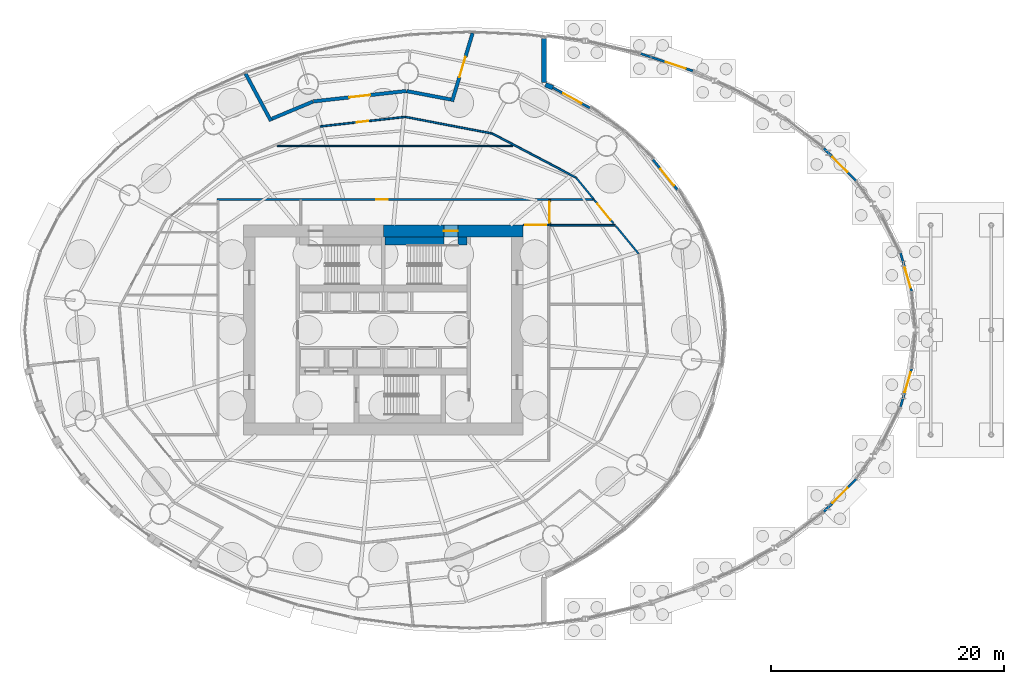
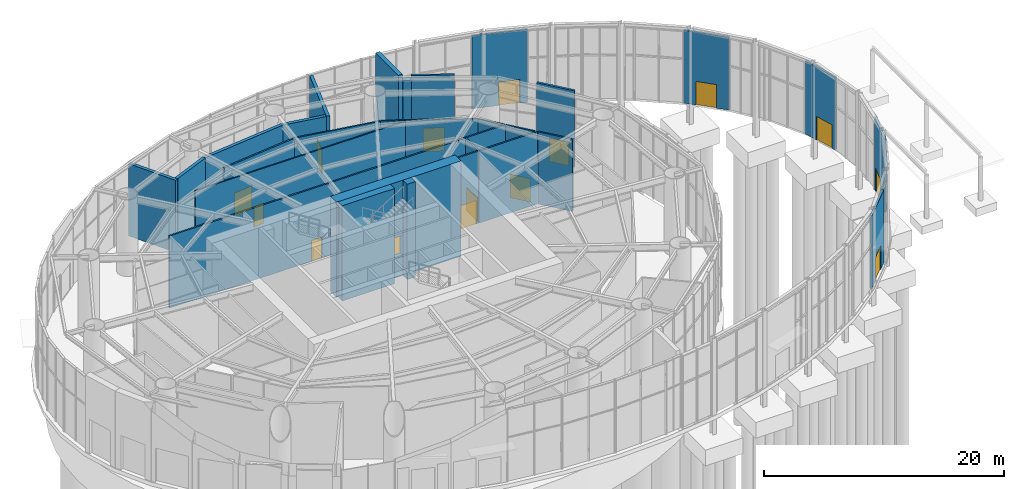
# One storey, part 24 of 27: 28 walls, 15 doors, 15 openings.
"""IFC4 building model written with IfcOpenShell, lengths in metres."""

import ifcopenshell
import ifcopenshell.guid

model = None  # the IFC model being written
_history = None  # IfcOwnerHistory: only IFC2X3 demands one
_inside = {}  # id of a spatial element -> (the spatial element, [elements in it])
_under = {}  # id of a project, library or spatial element -> (it, [spatial elements below it])
_declared = {}  # id of a project -> (the project, [libraries it declares])
_typed = {}  # id of a type object -> (the type object, [elements of that type])
_made_of = {}  # id of a material, layer set ... -> (it, [elements and type objects made of it])


def new_model(schema):
    """Start an empty IFC model of exactly this schema.

    Asked for "IFC4X3", IfcOpenShell would pick the latest addendum, in which some entities
    have other attributes; the version numbers below select the first issue.
    IFC2X3 requires an IfcOwnerHistory on every rooted entity: one is made here for all.
    """
    global model, _history
    if schema == "IFC4X3":
        model = ifcopenshell.file(schema_version=(4, 3, 0, 0))
    else:
        model = ifcopenshell.file(schema=schema)
    _inside.clear()
    _under.clear()
    _declared.clear()
    _typed.clear()
    _made_of.clear()
    _history = None
    if model.schema == "IFC2X3":
        org = make("IfcOrganization", Name="unknown")
        user = make(
            "IfcPersonAndOrganization",
            ThePerson=make("IfcPerson", FamilyName="unknown"),
            TheOrganization=org,
        )
        app = make(
            "IfcApplication",
            ApplicationDeveloper=org,
            Version="unknown",
            ApplicationFullName="unknown",
            ApplicationIdentifier="unknown",
        )
        _history = make(
            "IfcOwnerHistory",
            OwningUser=user,
            OwningApplication=app,
            ChangeAction="ADDED",
            CreationDate=0,
        )
    return model


def make(cls, **values):
    """One entity of the class cls with the attributes given. An attribute that is None is left unset."""
    return model.create_entity(
        cls, **{name: value for name, value in values.items() if value is not None}
    )


def rooted(cls, **values):
    """An entity with a GlobalId (a new one), such as an element, a storey or a relation."""
    return make(cls, GlobalId=ifcopenshell.guid.new(), OwnerHistory=_history, **values)


def si_unit(unit_type, name, prefix=None):
    """IfcSIUnit, for example si_unit("LENGTHUNIT", "METRE", prefix="MILLI")."""
    return make("IfcSIUnit", UnitType=unit_type, Prefix=prefix, Name=name)


def assignment(units):
    """IfcUnitAssignment: the units of a project."""
    return None if units is None else make("IfcUnitAssignment", Units=units)


def point(xyz):
    """IfcCartesianPoint."""
    return None if xyz is None else make("IfcCartesianPoint", Coordinates=xyz)


def direction(xyz):
    """IfcDirection."""
    return None if xyz is None else make("IfcDirection", DirectionRatios=xyz)


def frame(location, z_axis=None, x_axis=None):
    """IfcAxis2Placement3D, a coordinate frame: its origin and axes. An axis left out is left unset."""
    return make(
        "IfcAxis2Placement3D",
        Location=point(location),
        Axis=direction(z_axis),
        RefDirection=direction(x_axis),
    )


def frame_2d(location, x_axis=None):
    """IfcAxis2Placement2D, a coordinate frame in the plane: its origin and x axis."""
    return make(
        "IfcAxis2Placement2D", Location=point(location), RefDirection=direction(x_axis)
    )


def origin():
    """The frame at (0, 0, 0) with its axes left unset."""
    return frame((0.0, 0.0, 0.0))


def place(relative_to, where):
    """IfcLocalPlacement: puts the frame where relative to a parent placement (None: the world)."""
    return make(
        "IfcLocalPlacement", PlacementRelTo=relative_to, RelativePlacement=where
    )


def context(
    kind, dimensions, precision=None, world=None, true_north=None, identifier=None
):
    """IfcGeometricRepresentationContext, for example the 3D "Model" context."""
    return make(
        "IfcGeometricRepresentationContext",
        ContextIdentifier=identifier,
        ContextType=kind,
        CoordinateSpaceDimension=dimensions,
        Precision=precision,
        WorldCoordinateSystem=world,
        TrueNorth=true_north,
    )


def subcontext(parent, identifier, kind, view, scale=None):
    """IfcGeometricRepresentationSubContext, for example "Body" below "Model"."""
    return make(
        "IfcGeometricRepresentationSubContext",
        ContextIdentifier=identifier,
        ContextType=kind,
        ParentContext=parent,
        TargetScale=scale,
        TargetView=view,
    )


def project(units=None, contexts=None):
    """IfcProject with its units and contexts."""
    return rooted(
        "IfcProject",
        Name="project",
        RepresentationContexts=contexts,
        UnitsInContext=assignment(units),
    )


def spatial(cls, under=None, at=None, **own):
    """A site, building, storey or space (cls), placed at a placement, below another one or the project."""
    s = rooted(cls, ObjectPlacement=at, **own)
    if under is not None:
        _under.setdefault(under.id(), (under, []))[1].append(s)
    return s


def profile(cls, at=None, kind="AREA", **sizes):
    """A parametric profile (cls). Its sizes go by their IFC names, for example OverallWidth=200.0."""
    return make(cls, ProfileType=kind, Position=at, **sizes)


def rectangle(**sizes):
    """IfcRectangleProfileDef."""
    return profile("IfcRectangleProfileDef", **sizes)


def extrude(swept, where, along, depth):
    """IfcExtrudedAreaSolid: the profile swept, set in the frame where, extruded along a direction by depth."""
    return make(
        "IfcExtrudedAreaSolid",
        SweptArea=swept,
        Position=where,
        ExtrudedDirection=direction(along),
        Depth=depth,
    )


def shape(context_of_items, identifier, shape_type, items):
    """IfcShapeRepresentation: the items that make up one representation, for example the "Body"."""
    return make(
        "IfcShapeRepresentation",
        ContextOfItems=context_of_items,
        RepresentationIdentifier=identifier,
        RepresentationType=shape_type,
        Items=items,
    )


def material(Name=None, Category=None):
    """IfcMaterial."""
    return make("IfcMaterial", Name=Name, Category=Category)


def layer(
    of_material, thickness, ventilated=None, Name=None, Category=None, Priority=None
):
    """IfcMaterialLayer: one layer of a wall or slab, of a material (None: an air gap)."""
    return make(
        "IfcMaterialLayer",
        Material=of_material,
        LayerThickness=thickness,
        IsVentilated=ventilated,
        Name=Name,
        Category=Category,
        Priority=Priority,
    )


def layer_set(layers, Name=None):
    """IfcMaterialLayerSet."""
    return make("IfcMaterialLayerSet", MaterialLayers=layers, LayerSetName=Name)


def made_of(thing, what):
    """Note that an element or type object is made of a material, layer set ...; save() writes the relation."""
    if what is not None:
        _made_of.setdefault(what.id(), (what, []))[1].append(thing)
    return thing


def type_object(cls, material=None, **own):
    """A type object (cls), such as IfcWallType, which elements share."""
    return made_of(rooted(cls, **own), material)


def element(
    cls,
    number,
    at=None,
    inside=None,
    cuts=None,
    type_object=None,
    material=None,
    context=None,
    identifier="Body",
    shape_type=None,
    held_by="IfcProductDefinitionShape",
    body=None,
    shapes=None,
    **own,
):
    """One element of the class cls, such as IfcWall. Its Tag is "e" and its number.

    at: its placement. inside: the storey or other place that contains it. cuts: it is an
    opening in that element (IfcRelVoidsElement). A single representation is given by context,
    identifier, shape_type and body (its items); several are given by shapes. held_by: the class
    of the entity that holds the representations. save() writes the other relations.
    """
    e = rooted(cls, Tag="e%d" % number, ObjectPlacement=at, **own)
    if body is not None:
        shapes = [shape(context, identifier, shape_type, body)]
    if shapes is not None:
        e.Representation = make(held_by, Representations=shapes)
    if inside is not None:
        _inside.setdefault(inside.id(), (inside, []))[1].append(e)
    if cuts is not None:
        rooted(
            "IfcRelVoidsElement", RelatingBuildingElement=cuts, RelatedOpeningElement=e
        )
    if type_object is not None:
        _typed.setdefault(type_object.id(), (type_object, []))[1].append(e)
    return made_of(e, material)


def fill(opening, filler):
    """IfcRelFillsElement: the door or window that sits in an opening."""
    return rooted(
        "IfcRelFillsElement",
        RelatingOpeningElement=opening,
        RelatedBuildingElement=filler,
    )


def aggregate(whole, parts):
    """IfcRelAggregates: a whole, such as a stair, and the parts it consists of."""
    return rooted("IfcRelAggregates", RelatingObject=whole, RelatedObjects=parts)


def save(model, path):
    """Write the relations noted so far, then the file.

    IfcRelAggregates (storeys below a building ...), IfcRelContainedInSpatialStructure (elements
    in a storey), IfcRelDefinesByType, IfcRelAssociatesMaterial and IfcRelDeclares: one each for
    every whole, place, type object, material and project.
    """
    for whole, parts in _under.values():
        aggregate(whole, parts)
    for where, things in _inside.values():
        rooted(
            "IfcRelContainedInSpatialStructure",
            RelatedElements=things,
            RelatingStructure=where,
        )
    for kind, things in _typed.values():
        rooted("IfcRelDefinesByType", RelatedObjects=things, RelatingType=kind)
    for what, things in _made_of.values():
        rooted("IfcRelAssociatesMaterial", RelatedObjects=things, RelatingMaterial=what)
    for by, libraries in _declared.values():
        rooted("IfcRelDeclares", RelatingContext=by, RelatedDefinitions=libraries)
    model.write(path)


model = new_model("IFC4")

# Units and contexts
model_context = context("Model", 3, precision=1e-05, world=origin(), true_north=direction((0.0, 1.0)))
body_context = subcontext(model_context, "Body", "Model", "MODEL_VIEW")
ifc_project = project(units=[si_unit("LENGTHUNIT", "METRE"), si_unit("AREAUNIT", "SQUARE_METRE"), si_unit("VOLUMEUNIT", "CUBIC_METRE"), si_unit("PLANEANGLEUNIT", "RADIAN"), si_unit("MASSUNIT", "GRAM", prefix="KILO")], contexts=[model_context])

# Site, building, storey
site_placement = place(None, origin())
site = spatial("IfcSite", under=ifc_project, at=site_placement, CompositionType="ELEMENT")
building_placement = place(site_placement, origin())
building = spatial("IfcBuilding", under=site, at=building_placement, Name="Vermilion Reach Broadcast Tower", CompositionType="ELEMENT")
storey_placement = place(building_placement, origin())
storey = spatial("IfcBuildingStorey", under=building, at=storey_placement, Name="L00", CompositionType="ELEMENT", Elevation=0.0)

# Walls
ifc_material_1 = material(Name="Precast concrete C40/50 with acoustic cladding", Category="concrete")
ifc_layer_1 = layer(ifc_material_1, 0.39990234375)
ifc_layer_set_1 = layer_set([ifc_layer_1], Name="Atrium end wall 400")
wall_type_1 = type_object("IfcWallType", Name="Atrium end wall 400", PredefinedType="SOLIDWALL", material=ifc_layer_set_1)
wall_1_placement = place(storey_placement, frame((7.800048828125, 25.045166015625, 0.0), z_axis=(0.0, 0.0, 1.0), x_axis=(0.0, -1.0, 0.0)))
element("IfcWall", 1, at=wall_1_placement, inside=storey, type_object=wall_type_1, Name="Atrium end wall L00 1", PredefinedType="SOLIDWALL", context=body_context, shape_type="SweptSolid", body=[
    extrude(rectangle(XDim=3.79931640625, YDim=0.39990234375, at=frame_2d((1.899658203125, 0.0))), origin(), (0.0, 0.0, 1.0), 7.800048828125),
])
ifc_material_2 = material(Name="Precast concrete C40/50 with acoustic cladding", Category="concrete")
ifc_layer_2 = layer(ifc_material_2, 0.39990234375)
ifc_layer_set_2 = layer_set([ifc_layer_2], Name="Atrium end wall 400, head 400 below soffit")
wall_type_2 = type_object("IfcWallType", Name="Atrium end wall 400, head 400 below soffit", PredefinedType="SOLIDWALL", material=ifc_layer_set_2)
wall_2_placement = place(storey_placement, frame((7.925048828125, 21.060546875, 0.0), z_axis=(0.0, 0.0, 1.0), x_axis=(0.927141159757, -0.374712249444, 0.0)))
element("IfcWall", 2, at=wall_2_placement, inside=storey, type_object=wall_type_2, Name="Podium wall L00 dru00", PredefinedType="SOLIDWALL", context=body_context, shape_type="SweptSolid", body=[
    extrude(rectangle(XDim=0.696533203125, YDim=0.39990234375, at=frame_2d((0.34814453125, 0.0))), origin(), (0.0, 0.0, 1.0), 7.39990234375),
])

# Wall, opening, door
ifc_material_3 = material(Name="Concrete C70", Category="concrete")
ifc_layer_3 = layer(ifc_material_3, 1.0)
ifc_layer_set_3 = layer_set([ifc_layer_3], Name="Core outer wall 1000 mm Concrete C70")
wall_type_3 = type_object("IfcWallType", Name="Core outer wall 1000 mm Concrete C70", PredefinedType="SHEAR", material=ifc_layer_set_3)
wall_3_placement = place(storey_placement, frame((6.0, 8.5, -2.0), z_axis=(0.0, 0.0, 1.0), x_axis=(-1.0, 0.0, 0.0)))
wall_3 = element("IfcWall", 3, at=wall_3_placement, inside=storey, type_object=wall_type_3, Name="L00 core wall onE", PredefinedType="SHEAR", context=body_context, shape_type="SweptSolid", body=[
    extrude(rectangle(XDim=12.0, YDim=1.0, at=frame_2d((6.0, 0.0))), origin(), (0.0, 0.0, 1.0), 9.699951171875),
])
opening_1_placement = place(wall_3_placement, frame((5.60009765625, 0.0, 2.0)))
opening_1 = element("IfcOpeningElement", 4, at=opening_1_placement, cuts=wall_3, Name="Opening D01", PredefinedType="OPENING", context=body_context, shape_type="SweptSolid", body=[
    extrude(rectangle(XDim=1.199951171875, YDim=2.10009765625, at=frame_2d((0.60009765625, 1.050048828125))), frame((0.0, 0.510009765625, 0.0), z_axis=(0.0, -1.0, 0.0), x_axis=(1.0, 0.0, 0.0)), (0.0, 0.0, 1.0), 1.02001953125),
])
ifc_material_4 = material(Name="Painted steel fire door", Category="steel")
door_type_1 = type_object("IfcDoorType", Name="Stair door 1200 x 2100", OperationType="DOUBLE_DOOR_SINGLE_SWING", PredefinedType="NOTDEFINED", material=ifc_material_4)
door_1_placement = place(opening_1_placement, origin())
door_1 = element("IfcDoor", 5, at=door_1_placement, inside=storey, type_object=door_type_1, Name="L00 stair door ST2", OperationType="DOUBLE_DOOR_SINGLE_SWING", OverallHeight=2.10009765625, OverallWidth=1.199951171875, PredefinedType="NOTDEFINED", context=body_context, shape_type="SweptSolid", body=[
    extrude(rectangle(XDim=1.199951171875, YDim=2.10009765625, at=frame_2d((0.60009765625, 1.050048828125))), frame((0.0, 0.02490234375, 0.0), z_axis=(0.0, -1.0, 0.0), x_axis=(1.0, 0.0, 0.0)), (0.0, 0.0, 1.0), 0.050048828125),
])
fill(opening_1, door_1)

# Walls
ifc_material_5 = material(Name="Concrete C70", Category="concrete")
ifc_layer_4 = layer(ifc_material_5, 0.699951171875)
ifc_layer_set_4 = layer_set([ifc_layer_4], Name="Core stair wall 700 mm Concrete C70")
wall_type_4 = type_object("IfcWallType", Name="Core stair wall 700 mm Concrete C70", PredefinedType="SHEAR", material=ifc_layer_set_4)
wall_4_placement = place(storey_placement, frame((-5.85009765625, 7.64990234375, -2.0), z_axis=(0.0, 0.0, 1.0), x_axis=(1.0, 0.0, 0.0)))
element("IfcWall", 6, at=wall_4_placement, inside=storey, type_object=wall_type_4, Name="L00 core wall l2a", PredefinedType="SHEAR", context=body_context, shape_type="SweptSolid", body=[
    extrude(rectangle(XDim=5.050048828125, YDim=0.699951171875, at=frame_2d((2.52490234375, 0.0))), origin(), (0.0, 0.0, 1.0), 9.699951171875),
])
wall_5_placement = place(storey_placement, frame((0.39990234375, 7.64990234375, -2.0), z_axis=(0.0, 0.0, 1.0), x_axis=(1.0, 0.0, 0.0)))
element("IfcWall", 7, at=wall_5_placement, inside=storey, type_object=wall_type_4, Name="L00 core wall l2b", PredefinedType="SHEAR", context=body_context, shape_type="SweptSolid", body=[
    extrude(rectangle(XDim=0.800048828125, YDim=0.699951171875, at=frame_2d((0.39990234375, 0.0))), origin(), (0.0, 0.0, 1.0), 9.699951171875),
])

# Wall, opening, door
ifc_material_6 = material(Name="Gypsum board partition")
ifc_layer_5 = layer(ifc_material_6, 0.14990234375)
ifc_layer_set_5 = layer_set([ifc_layer_5], Name="Corridor wall 150")
wall_type_5 = type_object("IfcWallType", Name="Corridor wall 150", PredefinedType="PARTITIONING", material=ifc_layer_set_5)
wall_6_placement = place(storey_placement, frame((12.097412109375, 11.199951171875, 0.0), z_axis=(0.0, 0.0, 1.0), x_axis=(-1.0, 0.0, 0.0)))
wall_6 = element("IfcWall", 8, at=wall_6_placement, inside=storey, type_object=wall_type_5, Name="sp.wall.L00.001", PredefinedType="PARTITIONING", context=body_context, shape_type="SweptSolid", body=[
    extrude(rectangle(XDim=32.372314453125, YDim=0.14990234375, at=frame_2d((16.18603515625, 0.0))), origin(), (0.0, 0.0, 1.0), 7.35009765625),
])
opening_2_placement = place(wall_6_placement, frame((17.71044921875, 0.0, 0.0)))
opening_2 = element("IfcOpeningElement", 9, at=opening_2_placement, cuts=wall_6, Name="Opening D50", PredefinedType="OPENING", context=body_context, shape_type="SweptSolid", body=[
    extrude(rectangle(XDim=1.0, YDim=2.10009765625, at=frame_2d((0.5, 1.050048828125))), frame((0.0, 0.0849609375, 0.0), z_axis=(0.0, -1.0, 0.0), x_axis=(1.0, 0.0, 0.0)), (0.0, 0.0, 1.0), 0.169921875),
])
ifc_material_7 = material(Name="Timber and steel door set", Category="steel")
door_type_2 = type_object("IfcDoorType", Name="Door 1000x2100", OperationType="NOTDEFINED", PredefinedType="DOOR", material=ifc_material_7)
door_2_placement = place(opening_2_placement, origin())
door_2 = element("IfcDoor", 10, at=door_2_placement, inside=storey, type_object=door_type_2, Name="sp.door.L00.004", OperationType="SINGLE_SWING_LEFT", OverallHeight=2.10009765625, OverallWidth=1.0, PredefinedType="DOOR", context=body_context, shape_type="SweptSolid", body=[
    extrude(rectangle(XDim=1.0, YDim=2.10009765625, at=frame_2d((0.5, 1.050048828125))), frame((0.0, 0.02490234375, 0.0), z_axis=(0.0, -1.0, 0.0), x_axis=(1.0, 0.0, 0.0)), (0.0, 0.0, 1.0), 0.050048828125),
])
fill(opening_2, door_2)

# Walls
wall_7_placement = place(storey_placement, frame((8.27490234375, 9.0, 0.0), z_axis=(0.0, 0.0, 1.0), x_axis=(1.0, 0.0, 0.0)))
element("IfcWall", 11, at=wall_7_placement, inside=storey, type_object=wall_type_5, Name="sp.wall.L00.004", PredefinedType="PARTITIONING", context=body_context, shape_type="SweptSolid", body=[
    extrude(rectangle(XDim=5.630859375, YDim=0.14990234375, at=frame_2d((2.8154296875, 0.0))), origin(), (0.0, 0.0, 1.0), 7.35009765625),
])
wall_8_placement = place(storey_placement, frame((3.34765625, 16.870849609375, 0.0), z_axis=(0.0, 0.0, 1.0), x_axis=(0.884926027541, -0.46573160273, 0.0)))
element("IfcWall", 12, at=wall_8_placement, inside=storey, type_object=wall_type_5, Name="sp.wall.L00.017", PredefinedType="PARTITIONING", context=body_context, shape_type="SweptSolid", body=[
    extrude(rectangle(XDim=8.14208984375, YDim=0.14990234375, at=frame_2d((4.071044921875, 0.0))), origin(), (0.0, 0.0, 1.0), 7.35009765625),
])
wall_9_placement = place(storey_placement, frame((10.572998046875, 13.054443359375, 0.0), z_axis=(0.0, 0.0, 1.0), x_axis=(0.634980634047, -0.772528054109, 0.0)))
element("IfcWall", 13, at=wall_9_placement, inside=storey, type_object=wall_type_5, Name="sp.wall.L00.018", PredefinedType="PARTITIONING", context=body_context, shape_type="SweptSolid", body=[
    extrude(rectangle(XDim=2.309326171875, YDim=0.14990234375, at=frame_2d((1.15478515625, 0.0))), origin(), (0.0, 0.0, 1.0), 7.35009765625),
])
wall_10_placement = place(storey_placement, frame((13.9638671875, 8.929443359375, 0.0), z_axis=(0.0, 0.0, 1.0), x_axis=(0.635017397711, -0.772497834692, 0.0)))
element("IfcWall", 14, at=wall_10_placement, inside=storey, type_object=wall_type_5, Name="sp.wall.L00.019", PredefinedType="PARTITIONING", context=body_context, shape_type="SweptSolid", body=[
    extrude(rectangle(XDim=3.08984375, YDim=0.14990234375, at=frame_2d((1.544921875, 0.0))), origin(), (0.0, 0.0, 1.0), 7.35009765625),
])

# Wall, opening, door
wall_11_placement = place(storey_placement, frame((-4.13671875, 18.294921875, 0.0), z_axis=(0.0, 0.0, 1.0), x_axis=(-0.993762158865, -0.111520274427, 0.0)))
wall_11 = element("IfcWall", 15, at=wall_11_placement, inside=storey, type_object=wall_type_5, Name="sp.wall.L00.020", PredefinedType="PARTITIONING", context=body_context, shape_type="SweptSolid", body=[
    extrude(rectangle(XDim=7.333740234375, YDim=0.14990234375, at=frame_2d((3.6669921875, 0.0))), origin(), (0.0, 0.0, 1.0), 7.35009765625),
])
opening_3_placement = place(wall_11_placement, frame((3.1669921875, 0.0, 0.0)))
opening_3 = element("IfcOpeningElement", 16, at=opening_3_placement, cuts=wall_11, Name="Opening D54", PredefinedType="OPENING", context=body_context, shape_type="SweptSolid", body=[
    extrude(rectangle(XDim=1.0, YDim=2.10009765625, at=frame_2d((0.5, 1.050048828125))), frame((0.0, 0.0849609375, 0.0), z_axis=(0.0, -1.0, 0.0), x_axis=(1.0, 0.0, 0.0)), (0.0, 0.0, 1.0), 0.169921875),
])
ifc_material_8 = material(Name="Timber and steel door set", Category="steel")
door_type_3 = type_object("IfcDoorType", Name="Fire door 1000x2100", OperationType="NOTDEFINED", PredefinedType="DOOR", material=ifc_material_8)
door_3_placement = place(opening_3_placement, origin())
door_3 = element("IfcDoor", 17, at=door_3_placement, inside=storey, type_object=door_type_3, Name="sp.door.L00.005", OperationType="SINGLE_SWING_RIGHT", OverallHeight=2.10009765625, OverallWidth=1.0, PredefinedType="DOOR", context=body_context, shape_type="SweptSolid", body=[
    extrude(rectangle(XDim=1.0, YDim=2.10009765625, at=frame_2d((0.5, 1.050048828125))), frame((0.0, 0.02490234375, 0.0), z_axis=(0.0, -1.0, 0.0), x_axis=(1.0, 0.0, 0.0)), (0.0, 0.0, 1.0), 0.050048828125),
])
fill(opening_3, door_3)

# Wall
wall_12_placement = place(storey_placement, frame((-4.113525390625, 18.297607421875, 0.0), z_axis=(0.0, 0.0, 1.0), x_axis=(0.982205706766, -0.187808278828, 0.0)))
element("IfcWall", 18, at=wall_12_placement, inside=storey, type_object=wall_type_5, Name="sp.wall.L00.021", PredefinedType="PARTITIONING", context=body_context, shape_type="SweptSolid", body=[
    extrude(rectangle(XDim=7.573486328125, YDim=0.14990234375, at=frame_2d((3.78662109375, 0.0))), origin(), (0.0, 0.0, 1.0), 7.35009765625),
])

# Wall, opening, door
wall_13_placement = place(storey_placement, frame((8.284912109375, 9.0, 0.0), z_axis=(0.0, 0.0, 1.0), x_axis=(0.0, 1.0, 0.0)))
wall_13 = element("IfcWall", 19, at=wall_13_placement, inside=storey, type_object=wall_type_5, Name="Exit passage wall X", PredefinedType="PARTITIONING", context=body_context, shape_type="SweptSolid", body=[
    extrude(rectangle(XDim=2.199951171875, YDim=0.14990234375, at=frame_2d((1.10009765625, 0.0))), origin(), (0.0, 0.0, 1.0), 7.35009765625),
])
opening_4_placement = place(wall_13_placement, frame((0.199951171875, 0.0, 0.0)))
opening_4 = element("IfcOpeningElement", 20, at=opening_4_placement, cuts=wall_13, Name="Opening D56", PredefinedType="OPENING", context=body_context, shape_type="SweptSolid", body=[
    extrude(rectangle(XDim=1.800048828125, YDim=2.39990234375, at=frame_2d((0.89990234375, 1.199951171875))), frame((0.0, 0.0849609375, 0.0), z_axis=(0.0, -1.0, 0.0), x_axis=(1.0, 0.0, 0.0)), (0.0, 0.0, 1.0), 0.169921875),
])
ifc_material_9 = material(Name="Timber and steel door set", Category="steel")
door_type_4 = type_object("IfcDoorType", Name="Fire door double 1800x2400", OperationType="NOTDEFINED", PredefinedType="DOOR", material=ifc_material_9)
door_4_placement = place(opening_4_placement, origin())
door_4 = element("IfcDoor", 21, at=door_4_placement, inside=storey, type_object=door_type_4, Name="Exit passage door", OperationType="DOUBLE_DOOR_SINGLE_SWING", OverallHeight=2.39990234375, OverallWidth=1.800048828125, PredefinedType="DOOR", context=body_context, shape_type="SweptSolid", body=[
    extrude(rectangle(XDim=1.800048828125, YDim=2.39990234375, at=frame_2d((0.89990234375, 1.199951171875))), frame((0.0, 0.02490234375, 0.0), z_axis=(0.0, -1.0, 0.0), x_axis=(1.0, 0.0, 0.0)), (0.0, 0.0, 1.0), 0.050048828125),
])
fill(opening_4, door_4)

wall_14_placement = place(storey_placement, frame((12.114990234375, 11.16259765625, 0.0), z_axis=(0.0, 0.0, 1.0), x_axis=(0.63506228811, -0.772460931193, 0.0)))
wall_14 = element("IfcWall", 22, at=wall_14_placement, inside=storey, type_object=wall_type_5, Name="Exit passage wall F", PredefinedType="PARTITIONING", context=body_context, shape_type="SweptSolid", body=[
    extrude(rectangle(XDim=2.6279296875, YDim=0.14990234375, at=frame_2d((1.31396484375, 0.0))), origin(), (0.0, 0.0, 1.0), 7.35009765625),
])
opening_5_placement = place(wall_14_placement, frame((0.413818359375, 0.0, 0.0)))
opening_5 = element("IfcOpeningElement", 23, at=opening_5_placement, cuts=wall_14, Name="Opening D56", PredefinedType="OPENING", context=body_context, shape_type="SweptSolid", body=[
    extrude(rectangle(XDim=1.800048828125, YDim=2.39990234375, at=frame_2d((0.89990234375, 1.199951171875))), frame((0.0, 0.0849609375, 0.0), z_axis=(0.0, -1.0, 0.0), x_axis=(1.0, 0.0, 0.0)), (0.0, 0.0, 1.0), 0.169921875),
])
door_5_placement = place(opening_5_placement, origin())
door_5 = element("IfcDoor", 24, at=door_5_placement, inside=storey, type_object=door_type_4, Name="Exit passage door", OperationType="DOUBLE_DOOR_SINGLE_SWING", OverallHeight=2.39990234375, OverallWidth=1.800048828125, PredefinedType="DOOR", context=body_context, shape_type="SweptSolid", body=[
    extrude(rectangle(XDim=1.800048828125, YDim=2.39990234375, at=frame_2d((0.89990234375, 1.199951171875))), frame((0.0, 0.02490234375, 0.0), z_axis=(0.0, -1.0, 0.0), x_axis=(1.0, 0.0, 0.0)), (0.0, 0.0, 1.0), 0.050048828125),
])
fill(opening_5, door_5)

wall_15_placement = place(storey_placement, frame((6.0, 9.010009765625, 0.0), z_axis=(0.0, 0.0, 1.0), x_axis=(1.0, 0.0, 0.0)))
wall_15 = element("IfcWall", 25, at=wall_15_placement, inside=storey, type_object=wall_type_5, Name="Exit passage wall C", PredefinedType="PARTITIONING", context=body_context, shape_type="SweptSolid", body=[
    extrude(rectangle(XDim=2.199951171875, YDim=0.14990234375, at=frame_2d((1.10009765625, 0.0))), origin(), (0.0, 0.0, 1.0), 7.35009765625),
])
opening_6_placement = place(wall_15_placement, frame((0.199951171875, 0.0, 0.0)))
opening_6 = element("IfcOpeningElement", 26, at=opening_6_placement, cuts=wall_15, Name="Opening D56", PredefinedType="OPENING", context=body_context, shape_type="SweptSolid", body=[
    extrude(rectangle(XDim=1.800048828125, YDim=2.39990234375, at=frame_2d((0.89990234375, 1.199951171875))), frame((0.0, 0.0849609375, 0.0), z_axis=(0.0, -1.0, 0.0), x_axis=(1.0, 0.0, 0.0)), (0.0, 0.0, 1.0), 0.169921875),
])
door_6_placement = place(opening_6_placement, origin())
door_6 = element("IfcDoor", 27, at=door_6_placement, inside=storey, type_object=door_type_4, Name="Exit passage door", OperationType="DOUBLE_DOOR_SINGLE_SWING", OverallHeight=2.39990234375, OverallWidth=1.800048828125, PredefinedType="DOOR", context=body_context, shape_type="SweptSolid", body=[
    extrude(rectangle(XDim=1.800048828125, YDim=2.39990234375, at=frame_2d((0.89990234375, 1.199951171875))), frame((0.0, 0.02490234375, 0.0), z_axis=(0.0, -1.0, 0.0), x_axis=(1.0, 0.0, 0.0)), (0.0, 0.0, 1.0), 0.050048828125),
])
fill(opening_6, door_6)

# Wall
ifc_material_10 = material(Name="Gypsum board partition")
ifc_layer_6 = layer(ifc_material_10, 0.125)
ifc_layer_set_6 = layer_set([ifc_layer_6], Name="Partition 125 plasterboard")
wall_type_6 = type_object("IfcWallType", Name="Partition 125 plasterboard", PredefinedType="PARTITIONING", material=ifc_layer_set_6)
wall_16_placement = place(storey_placement, frame((-15.11376953125, 15.800048828125, 0.0), z_axis=(0.0, 0.0, 1.0), x_axis=(1.0, 0.0, 0.0)))
element("IfcWall", 28, at=wall_16_placement, inside=storey, type_object=wall_type_6, Name="sp.wall.L00.015", PredefinedType="PARTITIONING", context=body_context, shape_type="SweptSolid", body=[
    extrude(rectangle(XDim=20.21630859375, YDim=0.125, at=frame_2d((10.108154296875, 0.0))), origin(), (0.0, 0.0, 1.0), 7.35009765625),
])

# Wall, opening, door
ifc_material_11 = material(Name="Clear glass in aluminium frame", Category="aluminium")
ifc_layer_7 = layer(ifc_material_11, 0.199951171875)
ifc_layer_set_7 = layer_set([ifc_layer_7], Name="Storefront frame wall 200")
wall_type_7 = type_object("IfcWallType", Name="Storefront frame wall 200", PredefinedType="SOLIDWALL", material=ifc_layer_set_7)
wall_17_placement = place(storey_placement, frame((8.57080078125, 20.799560546875, 0.0), z_axis=(0.0, 0.0, 1.0), x_axis=(0.87711318505, -0.48028372928, 0.0)))
wall_17 = element("IfcWall", 29, at=wall_17_placement, inside=storey, type_object=wall_type_7, Name="Storefront wall L00 dru01", PredefinedType="SOLIDWALL", context=body_context, shape_type="SweptSolid", body=[
    extrude(rectangle(XDim=3.61865234375, YDim=0.199951171875, at=frame_2d((1.809326171875, 0.0))), origin(), (0.0, 0.0, 1.0), 7.800048828125),
])
opening_7_placement = place(wall_17_placement, frame((1.000732421875, 0.0, 0.0)))
opening_7 = element("IfcOpeningElement", 30, at=opening_7_placement, cuts=wall_17, Name="Opening D72", PredefinedType="OPENING", context=body_context, shape_type="SweptSolid", body=[
    extrude(rectangle(XDim=1.800048828125, YDim=2.39990234375, at=frame_2d((0.89990234375, 1.199951171875))), frame((0.0, 0.10986328125, 0.0), z_axis=(0.0, -1.0, 0.0), x_axis=(1.0, 0.0, 0.0)), (0.0, 0.0, 1.0), 0.219970703125),
])
ifc_material_12 = material(Name="Toughened glass in aluminium frame", Category="aluminium")
door_type_5 = type_object("IfcDoorType", Name="Atrium exit door pair 1800 x 2400", OperationType="DOUBLE_DOOR_SINGLE_SWING", PredefinedType="DOOR", material=ifc_material_12)
door_7_placement = place(opening_7_placement, origin())
door_7 = element("IfcDoor", 31, at=door_7_placement, inside=storey, type_object=door_type_5, Name="Exit door L00 dru01", OperationType="DOUBLE_DOOR_SINGLE_SWING", OverallHeight=2.39990234375, OverallWidth=1.800048828125, PredefinedType="DOOR", context=body_context, shape_type="SweptSolid", body=[
    extrude(rectangle(XDim=1.800048828125, YDim=2.39990234375, at=frame_2d((0.89990234375, 1.199951171875))), frame((0.0, 0.02490234375, 0.0), z_axis=(0.0, -1.0, 0.0), x_axis=(1.0, 0.0, 0.0)), (0.0, 0.0, 1.0), 0.050048828125),
])
fill(opening_7, door_7)

wall_18_placement = place(storey_placement, frame((17.14013671875, 14.639892578125, 0.0), z_axis=(0.0, 0.0, 1.0), x_axis=(0.631953724698, -0.775006122453, 0.0)))
wall_18 = element("IfcWall", 32, at=wall_18_placement, inside=storey, type_object=wall_type_7, Name="Storefront wall L00 dru04", PredefinedType="SOLIDWALL", context=body_context, shape_type="SweptSolid", body=[
    extrude(rectangle(XDim=3.3671875, YDim=0.199951171875, at=frame_2d((1.68359375, 0.0))), origin(), (0.0, 0.0, 1.0), 7.800048828125),
])
opening_8_placement = place(wall_18_placement, frame((1.07177734375, 0.0, 0.0)))
opening_8 = element("IfcOpeningElement", 33, at=opening_8_placement, cuts=wall_18, Name="Opening D72", PredefinedType="OPENING", context=body_context, shape_type="SweptSolid", body=[
    extrude(rectangle(XDim=1.800048828125, YDim=2.39990234375, at=frame_2d((0.89990234375, 1.199951171875))), frame((0.0, 0.10986328125, 0.0), z_axis=(0.0, -1.0, 0.0), x_axis=(1.0, 0.0, 0.0)), (0.0, 0.0, 1.0), 0.219970703125),
])
door_8_placement = place(opening_8_placement, origin())
door_8 = element("IfcDoor", 34, at=door_8_placement, inside=storey, type_object=door_type_5, Name="Exit door L00 dru04", OperationType="DOUBLE_DOOR_SINGLE_SWING", OverallHeight=2.39990234375, OverallWidth=1.800048828125, PredefinedType="DOOR", context=body_context, shape_type="SweptSolid", body=[
    extrude(rectangle(XDim=1.800048828125, YDim=2.39990234375, at=frame_2d((0.89990234375, 1.199951171875))), frame((0.0, 0.02490234375, 0.0), z_axis=(0.0, -1.0, 0.0), x_axis=(1.0, 0.0, 0.0)), (0.0, 0.0, 1.0), 0.050048828125),
])
fill(opening_8, door_8)

ifc_material_13 = material(Name="Clear glass in aluminium frame", Category="aluminium")
ifc_layer_8 = layer(ifc_material_13, 0.199951171875)
ifc_layer_set_8 = layer_set([ifc_layer_8], Name="Storefront frame wall 200, head 390 below soffit")
wall_type_8 = type_object("IfcWallType", Name="Storefront frame wall 200, head 390 below soffit", PredefinedType="SOLIDWALL", material=ifc_layer_set_8)
wall_19_placement = place(storey_placement, frame((34.60107421875, -12.8046875, 0.0), z_axis=(0.0, 0.0, 1.0), x_axis=(-0.704251073076, -0.709951002585, 0.0)))
wall_19 = element("IfcWall", 35, at=wall_19_placement, inside=storey, type_object=wall_type_8, Name="Storefront wall L00 atr06", PredefinedType="SOLIDWALL", context=body_context, shape_type="SweptSolid", body=[
    extrude(rectangle(XDim=3.940673828125, YDim=0.199951171875, at=frame_2d((1.97021484375, 0.0))), origin(), (0.0, 0.0, 1.0), 7.409912109375),
])
opening_9_placement = place(wall_19_placement, frame((1.070068359375, 0.0, 0.0)))
opening_9 = element("IfcOpeningElement", 36, at=opening_9_placement, cuts=wall_19, Name="Opening D72", PredefinedType="OPENING", context=body_context, shape_type="SweptSolid", body=[
    extrude(rectangle(XDim=1.800048828125, YDim=2.39990234375, at=frame_2d((0.89990234375, 1.199951171875))), frame((0.0, 0.10986328125, 0.0), z_axis=(0.0, -1.0, 0.0), x_axis=(1.0, 0.0, 0.0)), (0.0, 0.0, 1.0), 0.219970703125),
])
door_9_placement = place(opening_9_placement, origin())
door_9 = element("IfcDoor", 37, at=door_9_placement, inside=storey, type_object=door_type_5, Name="Exit door L00 atr06", OperationType="DOUBLE_DOOR_SINGLE_SWING", OverallHeight=2.39990234375, OverallWidth=1.800048828125, PredefinedType="DOOR", context=body_context, shape_type="SweptSolid", body=[
    extrude(rectangle(XDim=1.800048828125, YDim=2.39990234375, at=frame_2d((0.89990234375, 1.199951171875))), frame((0.0, 0.02490234375, 0.0), z_axis=(0.0, -1.0, 0.0), x_axis=(1.0, 0.0, 0.0)), (0.0, 0.0, 1.0), 0.050048828125),
])
fill(opening_9, door_9)

wall_20_placement = place(storey_placement, frame((39.375732421875, -3.336181640625, 0.0), z_axis=(0.0, 0.0, 1.0), x_axis=(-0.283208953672, -0.959058230015, 0.0)))
wall_20 = element("IfcWall", 38, at=wall_20_placement, inside=storey, type_object=wall_type_8, Name="Storefront wall L00 atr09", PredefinedType="SOLIDWALL", context=body_context, shape_type="SweptSolid", body=[
    extrude(rectangle(XDim=3.42236328125, YDim=0.199951171875, at=frame_2d((1.711181640625, 0.0))), origin(), (0.0, 0.0, 1.0), 7.409912109375),
])
opening_10_placement = place(wall_20_placement, frame((0.31103515625, 0.0, 0.0)))
opening_10 = element("IfcOpeningElement", 39, at=opening_10_placement, cuts=wall_20, Name="Opening D72", PredefinedType="OPENING", context=body_context, shape_type="SweptSolid", body=[
    extrude(rectangle(XDim=1.800048828125, YDim=2.39990234375, at=frame_2d((0.89990234375, 1.199951171875))), frame((0.0, 0.10986328125, 0.0), z_axis=(0.0, -1.0, 0.0), x_axis=(1.0, 0.0, 0.0)), (0.0, 0.0, 1.0), 0.219970703125),
])
door_10_placement = place(opening_10_placement, origin())
door_10 = element("IfcDoor", 40, at=door_10_placement, inside=storey, type_object=door_type_5, Name="Exit door L00 atr09", OperationType="DOUBLE_DOOR_SINGLE_SWING", OverallHeight=2.39990234375, OverallWidth=1.800048828125, PredefinedType="DOOR", context=body_context, shape_type="SweptSolid", body=[
    extrude(rectangle(XDim=1.800048828125, YDim=2.39990234375, at=frame_2d((0.89990234375, 1.199951171875))), frame((0.0, 0.02490234375, 0.0), z_axis=(0.0, -1.0, 0.0), x_axis=(1.0, 0.0, 0.0)), (0.0, 0.0, 1.0), 0.050048828125),
])
fill(opening_10, door_10)

wall_21_placement = place(storey_placement, frame((38.406494140625, 6.618408203125, 0.0), z_axis=(0.0, 0.0, 1.0), x_axis=(0.283208953672, -0.959058230015, 0.0)))
wall_21 = element("IfcWall", 41, at=wall_21_placement, inside=storey, type_object=wall_type_8, Name="Storefront wall L00 atr12", PredefinedType="SOLIDWALL", context=body_context, shape_type="SweptSolid", body=[
    extrude(rectangle(XDim=3.42236328125, YDim=0.199951171875, at=frame_2d((1.711181640625, 0.0))), origin(), (0.0, 0.0, 1.0), 7.409912109375),
])
opening_11_placement = place(wall_21_placement, frame((1.31103515625, 0.0, 0.0)))
opening_11 = element("IfcOpeningElement", 42, at=opening_11_placement, cuts=wall_21, Name="Opening D72", PredefinedType="OPENING", context=body_context, shape_type="SweptSolid", body=[
    extrude(rectangle(XDim=1.800048828125, YDim=2.39990234375, at=frame_2d((0.89990234375, 1.199951171875))), frame((0.0, 0.10986328125, 0.0), z_axis=(0.0, -1.0, 0.0), x_axis=(1.0, 0.0, 0.0)), (0.0, 0.0, 1.0), 0.219970703125),
])
door_11_placement = place(opening_11_placement, origin())
door_11 = element("IfcDoor", 43, at=door_11_placement, inside=storey, type_object=door_type_5, Name="Exit door L00 atr12", OperationType="DOUBLE_DOOR_SINGLE_SWING", OverallHeight=2.39990234375, OverallWidth=1.800048828125, PredefinedType="DOOR", context=body_context, shape_type="SweptSolid", body=[
    extrude(rectangle(XDim=1.800048828125, YDim=2.39990234375, at=frame_2d((0.89990234375, 1.199951171875))), frame((0.0, 0.02490234375, 0.0), z_axis=(0.0, -1.0, 0.0), x_axis=(1.0, 0.0, 0.0)), (0.0, 0.0, 1.0), 0.050048828125),
])
fill(opening_11, door_11)

wall_22_placement = place(storey_placement, frame((31.825927734375, 15.602294921875, 0.0), z_axis=(0.0, 0.0, 1.0), x_axis=(0.704251073076, -0.709951002585, 0.0)))
wall_22 = element("IfcWall", 44, at=wall_22_placement, inside=storey, type_object=wall_type_8, Name="Storefront wall L00 atr15", PredefinedType="SOLIDWALL", context=body_context, shape_type="SweptSolid", body=[
    extrude(rectangle(XDim=3.940673828125, YDim=0.199951171875, at=frame_2d((1.97021484375, 0.0))), origin(), (0.0, 0.0, 1.0), 7.409912109375),
])
opening_12_placement = place(wall_22_placement, frame((1.070068359375, 0.0, 0.0)))
opening_12 = element("IfcOpeningElement", 45, at=opening_12_placement, cuts=wall_22, Name="Opening D72", PredefinedType="OPENING", context=body_context, shape_type="SweptSolid", body=[
    extrude(rectangle(XDim=1.800048828125, YDim=2.39990234375, at=frame_2d((0.89990234375, 1.199951171875))), frame((0.0, 0.10986328125, 0.0), z_axis=(0.0, -1.0, 0.0), x_axis=(1.0, 0.0, 0.0)), (0.0, 0.0, 1.0), 0.219970703125),
])
door_12_placement = place(opening_12_placement, origin())
door_12 = element("IfcDoor", 46, at=door_12_placement, inside=storey, type_object=door_type_5, Name="Exit door L00 atr15", OperationType="DOUBLE_DOOR_SINGLE_SWING", OverallHeight=2.39990234375, OverallWidth=1.800048828125, PredefinedType="DOOR", context=body_context, shape_type="SweptSolid", body=[
    extrude(rectangle(XDim=1.800048828125, YDim=2.39990234375, at=frame_2d((0.89990234375, 1.199951171875))), frame((0.0, 0.02490234375, 0.0), z_axis=(0.0, -1.0, 0.0), x_axis=(1.0, 0.0, 0.0)), (0.0, 0.0, 1.0), 0.050048828125),
])
fill(opening_12, door_12)

wall_23_placement = place(storey_placement, frame((16.091064453125, 23.73193359375, 0.0), z_axis=(0.0, 0.0, 1.0), x_axis=(0.949012283333, -0.31523909352, 0.0)))
wall_23 = element("IfcWall", 47, at=wall_23_placement, inside=storey, type_object=wall_type_8, Name="Storefront wall L00 atr19", PredefinedType="SOLIDWALL", context=body_context, shape_type="SweptSolid", body=[
    extrude(rectangle(XDim=4.741943359375, YDim=0.199951171875, at=frame_2d((2.37109375, 0.0))), origin(), (0.0, 0.0, 1.0), 7.409912109375),
])
opening_13_placement = place(wall_23_placement, frame((2.283935546875, 0.0, 0.0)))
opening_13 = element("IfcOpeningElement", 48, at=opening_13_placement, cuts=wall_23, Name="Opening D72", PredefinedType="OPENING", context=body_context, shape_type="SweptSolid", body=[
    extrude(rectangle(XDim=1.800048828125, YDim=2.39990234375, at=frame_2d((0.89990234375, 1.199951171875))), frame((0.0, 0.10986328125, 0.0), z_axis=(0.0, -1.0, 0.0), x_axis=(1.0, 0.0, 0.0)), (0.0, 0.0, 1.0), 0.219970703125),
])
door_13_placement = place(opening_13_placement, origin())
door_13 = element("IfcDoor", 49, at=door_13_placement, inside=storey, type_object=door_type_5, Name="Exit door L00 atr19", OperationType="DOUBLE_DOOR_SINGLE_SWING", OverallHeight=2.39990234375, OverallWidth=1.800048828125, PredefinedType="DOOR", context=body_context, shape_type="SweptSolid", body=[
    extrude(rectangle(XDim=1.800048828125, YDim=2.39990234375, at=frame_2d((0.89990234375, 1.199951171875))), frame((0.0, 0.02490234375, 0.0), z_axis=(0.0, -1.0, 0.0), x_axis=(1.0, 0.0, 0.0)), (0.0, 0.0, 1.0), 0.050048828125),
])
fill(opening_13, door_13)

ifc_material_14 = material(Name="Gypsum board double-leaf partition")
ifc_layer_9 = layer(ifc_material_14, 0.300048828125)
ifc_layer_set_9 = layer_set([ifc_layer_9], Name="Studio acoustic wall 300")
wall_type_9 = type_object("IfcWallType", Name="Studio acoustic wall 300", PredefinedType="PARTITIONING", material=ifc_layer_set_9)
wall_24_placement = place(storey_placement, frame((-0.099365234375, 19.617919921875, 0.0), z_axis=(0.0, 0.0, 1.0), x_axis=(0.288023764889, 0.957623261444, 0.0)))
wall_24 = element("IfcWall", 50, at=wall_24_placement, inside=storey, type_object=wall_type_9, Name="sp.wall.L00.031", PredefinedType="PARTITIONING", context=body_context, shape_type="SweptSolid", body=[
    extrude(rectangle(XDim=6.130126953125, YDim=0.300048828125, at=frame_2d((3.06494140625, 0.0))), origin(), (0.0, 0.0, 1.0), 7.35009765625),
])
opening_14_placement = place(wall_24_placement, frame((2.18994140625, 0.0, 0.0)))
opening_14 = element("IfcOpeningElement", 51, at=opening_14_placement, cuts=wall_24, Name="Opening D55", PredefinedType="OPENING", context=body_context, shape_type="SweptSolid", body=[
    extrude(rectangle(XDim=1.800048828125, YDim=2.39990234375, at=frame_2d((0.89990234375, 1.199951171875))), frame((0.0, 0.159912109375, 0.0), z_axis=(0.0, -1.0, 0.0), x_axis=(1.0, 0.0, 0.0)), (0.0, 0.0, 1.0), 0.320068359375),
])
ifc_material_15 = material(Name="Timber and steel door set", Category="steel")
door_type_6 = type_object("IfcDoorType", Name="Hall double door 1800x2400", OperationType="NOTDEFINED", PredefinedType="DOOR", material=ifc_material_15)
door_14_placement = place(opening_14_placement, origin())
door_14 = element("IfcDoor", 52, at=door_14_placement, inside=storey, type_object=door_type_6, Name="sp.door.L00.009", OperationType="DOUBLE_DOOR_SINGLE_SWING", OverallHeight=2.39990234375, OverallWidth=1.800048828125, PredefinedType="DOOR", context=body_context, shape_type="SweptSolid", body=[
    extrude(rectangle(XDim=1.800048828125, YDim=2.39990234375, at=frame_2d((0.89990234375, 1.199951171875))), frame((0.0, 0.02490234375, 0.0), z_axis=(0.0, -1.0, 0.0), x_axis=(1.0, 0.0, 0.0)), (0.0, 0.0, 1.0), 0.050048828125),
])
fill(opening_14, door_14)

# Wall
wall_25_placement = place(storey_placement, frame((-3.98193359375, 20.51220703125, 0.0), z_axis=(0.0, 0.0, 1.0), x_axis=(0.982202752117, -0.187823730484, 0.0)))
element("IfcWall", 53, at=wall_25_placement, inside=storey, type_object=wall_type_9, Name="sp.wall.L00.032", PredefinedType="PARTITIONING", context=body_context, shape_type="SweptSolid", body=[
    extrude(rectangle(XDim=3.83056640625, YDim=0.300048828125, at=frame_2d((1.915283203125, 0.0))), origin(), (0.0, 0.0, 1.0), 7.35009765625),
])

# Wall, opening, door
wall_26_placement = place(storey_placement, frame((-4.027587890625, 20.52099609375, 0.0), z_axis=(0.0, 0.0, 1.0), x_axis=(-0.993763335244, -0.11150979116, 0.0)))
wall_26 = element("IfcWall", 54, at=wall_26_placement, inside=storey, type_object=wall_type_9, Name="sp.wall.L00.033", PredefinedType="PARTITIONING", context=body_context, shape_type="SweptSolid", body=[
    extrude(rectangle(XDim=8.0263671875, YDim=0.300048828125, at=frame_2d((4.01318359375, 0.0))), origin(), (0.0, 0.0, 1.0), 7.35009765625),
])
opening_15_placement = place(wall_26_placement, frame((3.11328125, 0.0, 0.0)))
opening_15 = element("IfcOpeningElement", 55, at=opening_15_placement, cuts=wall_26, Name="Opening D55", PredefinedType="OPENING", context=body_context, shape_type="SweptSolid", body=[
    extrude(rectangle(XDim=1.800048828125, YDim=2.39990234375, at=frame_2d((0.89990234375, 1.199951171875))), frame((0.0, 0.159912109375, 0.0), z_axis=(0.0, -1.0, 0.0), x_axis=(1.0, 0.0, 0.0)), (0.0, 0.0, 1.0), 0.320068359375),
])
door_15_placement = place(opening_15_placement, origin())
door_15 = element("IfcDoor", 56, at=door_15_placement, inside=storey, type_object=door_type_6, Name="sp.door.L00.010", OperationType="DOUBLE_DOOR_SINGLE_SWING", OverallHeight=2.39990234375, OverallWidth=1.800048828125, PredefinedType="DOOR", context=body_context, shape_type="SweptSolid", body=[
    extrude(rectangle(XDim=1.800048828125, YDim=2.39990234375, at=frame_2d((0.89990234375, 1.199951171875))), frame((0.0, 0.02490234375, 0.0), z_axis=(0.0, -1.0, 0.0), x_axis=(1.0, 0.0, 0.0)), (0.0, 0.0, 1.0), 0.050048828125),
])
fill(opening_15, door_15)

# Walls
wall_27_placement = place(storey_placement, frame((-15.56396484375, 18.139892578125, 0.0), z_axis=(0.0, 0.0, 1.0), x_axis=(0.92281914683, 0.385233464596, 0.0)))
element("IfcWall", 57, at=wall_27_placement, inside=storey, type_object=wall_type_9, Name="sp.wall.L00.034", PredefinedType="PARTITIONING", context=body_context, shape_type="SweptSolid", body=[
    extrude(rectangle(XDim=3.81396484375, YDim=0.300048828125, at=frame_2d((1.906982421875, 0.0))), origin(), (0.0, 0.0, 1.0), 7.35009765625),
])
wall_28_placement = place(storey_placement, frame((-17.826904296875, 22.001953125, 0.0), z_axis=(0.0, 0.0, 1.0), x_axis=(0.473429751336, -0.880831578992, 0.0)))
element("IfcWall", 58, at=wall_28_placement, inside=storey, type_object=wall_type_9, Name="sp.wall.L00.035", PredefinedType="PARTITIONING", context=body_context, shape_type="SweptSolid", body=[
    extrude(rectangle(XDim=4.607177734375, YDim=0.300048828125, at=frame_2d((2.3037109375, 0.0))), origin(), (0.0, 0.0, 1.0), 7.35009765625),
])

save(model, "model.ifc")
